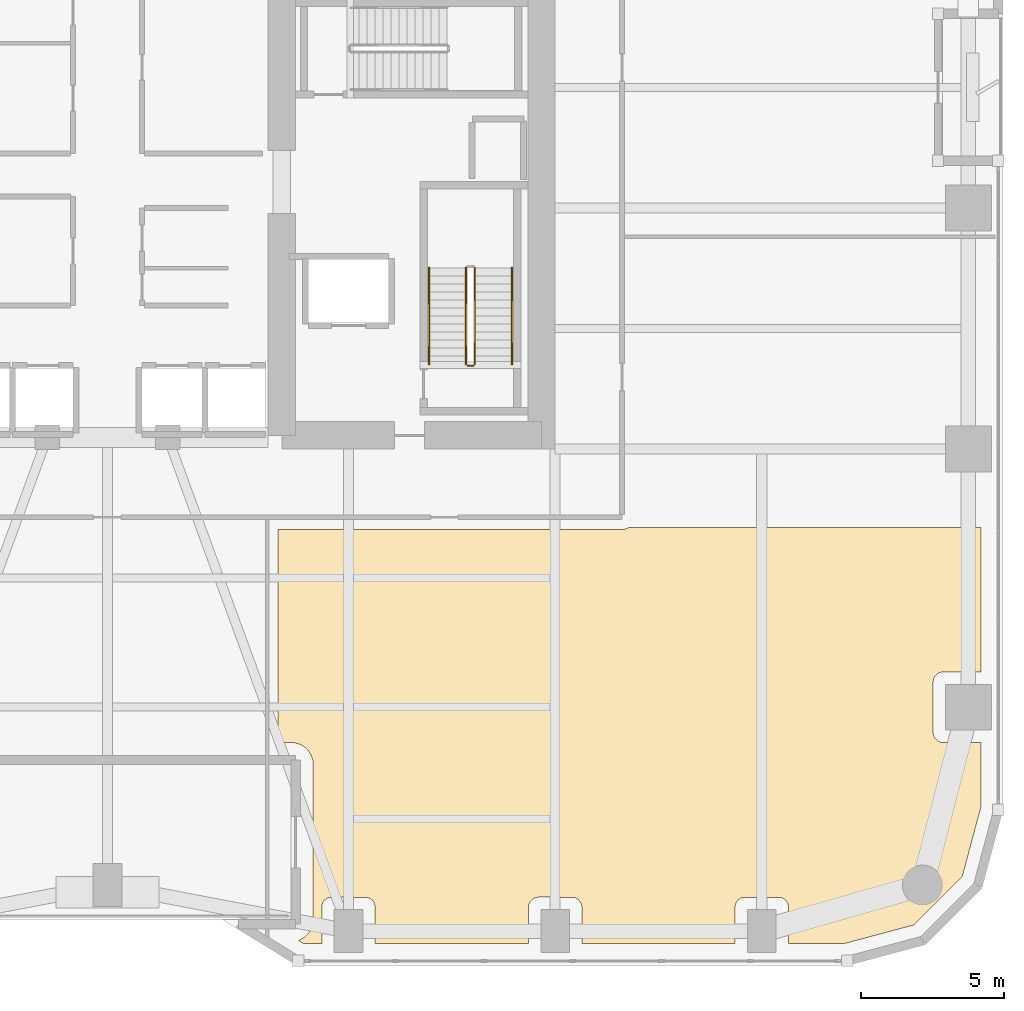
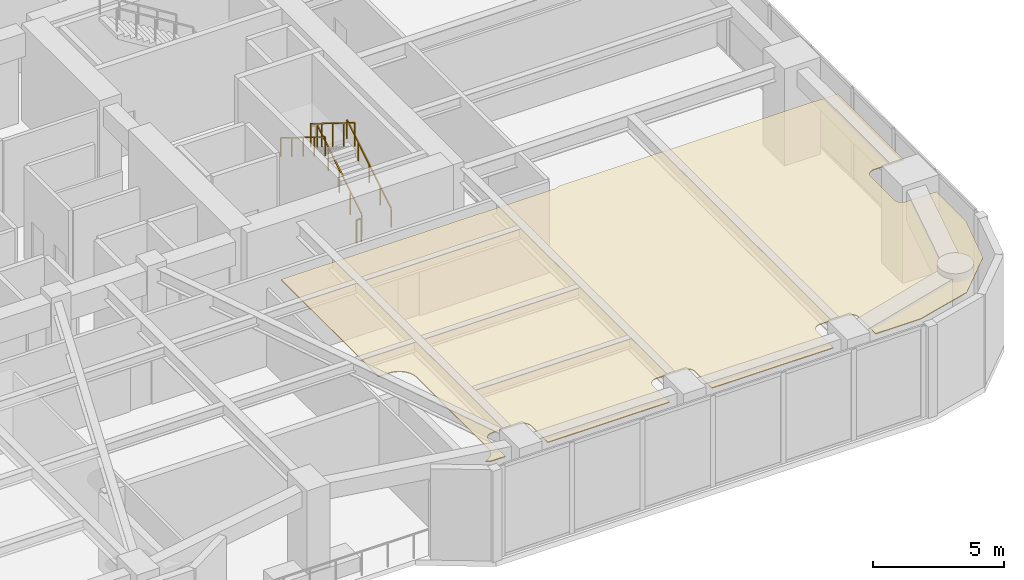
# One storey, part 23 of 25: 5 railings, 1 covering.
"""IFC4 building model written with IfcOpenShell, lengths in metres."""

from ifc_helpers import new_model, si_unit, direction, frame, origin, origin_2d, place, context, subcontext, project, spatial, polyline, rectangle, outline, extrude, material, layer, layer_set, type_object, element, save


model = new_model("IFC4")

# Units and contexts
model_context = context("Model", 3, precision=1e-05, world=origin(), true_north=direction((0.0, 1.0)))
body_context = subcontext(model_context, "Body", "Model", "MODEL_VIEW")
ifc_project = project(units=[si_unit("LENGTHUNIT", "METRE"), si_unit("AREAUNIT", "SQUARE_METRE"), si_unit("VOLUMEUNIT", "CUBIC_METRE"), si_unit("PLANEANGLEUNIT", "RADIAN"), si_unit("MASSUNIT", "GRAM", prefix="KILO")], contexts=[model_context])

# Site, building, storey
site_placement = place(None, origin())
site = spatial("IfcSite", under=ifc_project, at=site_placement, CompositionType="ELEMENT")
building_placement = place(site_placement, origin())
building = spatial("IfcBuilding", under=site, at=building_placement, Name="Kiyonajd Concourse Tower", CompositionType="ELEMENT")
storey_placement = place(building_placement, frame((0.0, 0.0, 68.39990234375)))
storey = spatial("IfcBuildingStorey", under=building, at=storey_placement, Name="L18", CompositionType="ELEMENT", Elevation=68.39990234375)

# Covering
ifc_material_1 = material(Name="Natural Oak Acoustic Timber Veneer", Category="wood")
ifc_layer = layer(ifc_material_1, 0.0400390625)
ifc_layer_set = layer_set([ifc_layer], Name="Natural Oak Acoustic Timber Veneer")
covering_type = type_object("IfcCoveringType", Name="CV-CLG-ACST", PredefinedType="CEILING", material=ifc_layer_set)
covering_placement = place(storey_placement, frame((0.0, 0.0, 4.06005859375)))
element("IfcCovering", 1, at=covering_placement, inside=storey, type_object=covering_type, Name="L18-40 Room Acoustic Ceiling", PredefinedType="CEILING", context=body_context, shape_type="SweptSolid", body=[
    extrude(outline(polyline([(54.65087890625, 10.472900390625), (54.72802734375, 10.50390625), (54.839111328125, 10.568115234375), (54.931884765625, 10.64306640625), (55.008056640625, 10.72802734375), (55.056884765625, 10.800048828125), (55.116943359375, 10.9208984375), (55.156982421875, 11.05810546875), (55.16796875, 11.166015625), (55.16796875, 16.634033203125), (55.156982421875, 16.741943359375), (55.14208984375, 16.806884765625), (55.10302734375, 16.9140625), (55.06201171875, 16.990966796875), (55.001953125, 17.080078125), (54.95703125, 17.132080078125), (54.8720703125, 17.2080078125), (54.800048828125, 17.257080078125), (54.678955078125, 17.31689453125), (54.51611328125, 17.360107421875), (54.39990234375, 17.3701171875), (53.93994140625, 17.3701171875), (53.93994140625, 24.7900390625), (65.925048828125, 24.7900390625), (66.054931640625, 24.81005859375), (66.117919921875, 24.8359375), (66.173095703125, 24.8701171875), (78.429931640625, 24.8701171875), (78.429931640625, 19.830078125), (77.1201171875, 19.830078125), (77.052001953125, 19.822998046875), (76.986083984375, 19.802978515625), (76.926025390625, 19.77099609375), (76.84912109375, 19.701904296875), (76.81103515625, 19.64501953125), (76.784912109375, 19.58203125), (76.77001953125, 19.47998046875), (76.77001953125, 17.719970703125), (76.784912109375, 17.617919921875), (76.81103515625, 17.554931640625), (76.84912109375, 17.498046875), (76.89794921875, 17.448974609375), (76.955078125, 17.410888671875), (77.01806640625, 17.385009765625), (77.0859375, 17.3720703125), (78.429931640625, 17.3701171875), (78.429931640625, 15.10107421875), (77.785888671875, 12.697998046875), (76.10205078125, 11.013916015625), (73.698974609375, 10.3701171875), (71.72998046875, 10.3701171875), (71.72802734375, 11.6640625), (71.715087890625, 11.73193359375), (71.68896484375, 11.794921875), (71.626953125, 11.876953125), (71.544921875, 11.93896484375), (71.48193359375, 11.965087890625), (71.4140625, 11.97802734375), (70.18603515625, 11.97802734375), (70.117919921875, 11.965087890625), (70.054931640625, 11.93896484375), (69.972900390625, 11.876953125), (69.910888671875, 11.794921875), (69.876953125, 11.697998046875), (69.8701171875, 11.6298828125), (69.8701171875, 10.3701171875), (64.530029296875, 10.3701171875), (64.528076171875, 11.6640625), (64.514892578125, 11.73193359375), (64.489013671875, 11.794921875), (64.427001953125, 11.876953125), (64.344970703125, 11.93896484375), (64.281982421875, 11.965087890625), (64.214111328125, 11.97802734375), (63.02001953125, 11.97998046875), (62.91796875, 11.965087890625), (62.85498046875, 11.93896484375), (62.798095703125, 11.90087890625), (62.7490234375, 11.85205078125), (62.7109375, 11.794921875), (62.677001953125, 11.697998046875), (62.669921875, 11.6298828125), (62.669921875, 10.3701171875), (57.330078125, 10.3701171875), (57.327880859375, 11.6640625), (57.302978515625, 11.763916015625), (57.27099609375, 11.823974609375), (57.22705078125, 11.876953125), (57.174072265625, 11.9208984375), (57.114013671875, 11.952880859375), (57.013916015625, 11.97802734375), (55.820068359375, 11.97998046875), (55.718017578125, 11.965087890625), (55.655029296875, 11.93896484375), (55.597900390625, 11.90087890625), (55.549072265625, 11.85205078125), (55.510986328125, 11.794921875), (55.47705078125, 11.697998046875), (55.469970703125, 11.6298828125), (55.469970703125, 10.3701171875), (54.818115234375, 10.3701171875), (54.65087890625, 10.472900390625)])), origin(), (0.0, 0.0, 1.0), 0.0400390625),
])

# Railings
ifc_material_2 = material(Name="Steel ASTM A500 Grade C", Category="steel")
railing_type_1 = type_object("IfcRailingType", Name="RL-GRD-STR", PredefinedType="GUARDRAIL", material=ifc_material_2)
railing_1_placement = place(storey_placement, frame((60.800048828125, 30.550048828125, 0.173095703125)))
element("IfcRailing", 2, at=railing_1_placement, inside=storey, type_object=railing_type_1, Name="L18 ST2 stair guard 1", PredefinedType="GUARDRAIL", context=body_context, shape_type="SweptSolid", body=[
    extrude(rectangle(XDim=0.048095703125, YDim=0.048095703125, at=origin_2d()), frame((0.0, 0.0, 1.076171875), z_axis=(0.0, 0.850606129759, 0.525803396734), x_axis=(-1.0, 0.0, 0.0)), (0.0, 0.0, 1.0), 3.949951171875),
    extrude(rectangle(XDim=0.0419921875, YDim=0.0419921875, at=origin_2d()), origin(), (0.0, 0.0, 1.0), 1.052001953125),
    extrude(rectangle(XDim=0.0419921875, YDim=0.0419921875, at=origin_2d()), frame((0.0, 0.83984375, 0.519287109375)), (0.0, 0.0, 1.0), 1.052001953125),
    extrude(rectangle(XDim=0.0419921875, YDim=0.0419921875, at=origin_2d()), frame((0.0, 1.679931640625, 1.03857421875)), (0.0, 0.0, 1.0), 1.052001953125),
    extrude(rectangle(XDim=0.0419921875, YDim=0.0419921875, at=origin_2d()), frame((0.0, 2.52001953125, 1.5576171875)), (0.0, 0.0, 1.0), 1.052001953125),
    extrude(rectangle(XDim=0.0419921875, YDim=0.0419921875, at=origin_2d()), frame((0.0, 3.35986328125, 2.076904296875)), (0.0, 0.0, 1.0), 1.052001953125),
])
railing_2_placement = place(storey_placement, frame((60.5, 33.909912109375, 2.423095703125)))
element("IfcRailing", 3, at=railing_2_placement, inside=storey, type_object=railing_type_1, Name="L18 ST2 stair guard 3", PredefinedType="GUARDRAIL", context=body_context, shape_type="SweptSolid", body=[
    extrude(rectangle(XDim=0.048095703125, YDim=0.048095703125, at=origin_2d()), frame((0.0, 0.0, 1.076171875), z_axis=(0.0, -0.850606129759, 0.525803396734), x_axis=(1.0, 0.0, 0.0)), (0.0, 0.0, 1.0), 3.949951171875),
    extrude(rectangle(XDim=0.0419921875, YDim=0.0419921875, at=origin_2d()), origin(), (0.0, 0.0, 1.0), 1.052001953125),
    extrude(rectangle(XDim=0.0419921875, YDim=0.0419921875, at=origin_2d()), frame((0.0, -0.83984375, 0.519287109375)), (0.0, 0.0, 1.0), 1.052001953125),
    extrude(rectangle(XDim=0.0419921875, YDim=0.0419921875, at=origin_2d()), frame((0.0, -1.679931640625, 1.03857421875)), (0.0, 0.0, 1.0), 1.052001953125),
    extrude(rectangle(XDim=0.0419921875, YDim=0.0419921875, at=origin_2d()), frame((0.0, -2.52001953125, 1.5576171875)), (0.0, 0.0, 1.0), 1.052001953125),
    extrude(rectangle(XDim=0.0419921875, YDim=0.0419921875, at=origin_2d()), frame((0.0, -3.35986328125, 2.076904296875)), (0.0, 0.0, 1.0), 1.052001953125),
])
railing_3_placement = place(storey_placement, frame((60.75, 30.5, 0.0)))
element("IfcRailing", 4, at=railing_3_placement, inside=storey, type_object=railing_type_1, Name="L18 ST2 stair guard 4", PredefinedType="GUARDRAIL", context=body_context, shape_type="SweptSolid", body=[
    extrude(rectangle(XDim=0.048095703125, YDim=0.048095703125, at=origin_2d()), frame((0.0, 0.0, 1.076171875), z_axis=(-1.0, 0.0, 0.0), x_axis=(0.0, -1.0, 0.0)), (0.0, 0.0, 1.0), 0.199951171875),
    extrude(rectangle(XDim=0.0419921875, YDim=0.0419921875, at=origin_2d()), origin(), (0.0, 0.0, 1.0), 1.052001953125),
    extrude(rectangle(XDim=0.0419921875, YDim=0.0419921875, at=origin_2d()), frame((-0.199951171875, 0.0, 0.0)), (0.0, 0.0, 1.0), 1.052001953125),
])
ifc_material_3 = material(Name="Brushed Stainless Steel Cab Assembly", Category="steel")
railing_type_2 = type_object("IfcRailingType", Name="RL-HND-900", PredefinedType="HANDRAIL", material=ifc_material_3)
railing_4_placement = place(storey_placement, frame((62.10009765625, 30.550048828125, 0.173095703125)))
element("IfcRailing", 5, at=railing_4_placement, inside=storey, type_object=railing_type_2, Name="L18 ST2 stair handrail 1", PredefinedType="HANDRAIL", context=body_context, shape_type="SweptSolid", body=[
    extrude(rectangle(XDim=0.048095703125, YDim=0.048095703125, at=origin_2d()), frame((0.0, 0.0, 0.8759765625), z_axis=(0.0, 0.850606129759, 0.525803396734), x_axis=(-1.0, 0.0, 0.0)), (0.0, 0.0, 1.0), 3.949951171875),
    extrude(rectangle(XDim=0.0419921875, YDim=0.0419921875, at=origin_2d()), origin(), (0.0, 0.0, 1.0), 0.851806640625),
    extrude(rectangle(XDim=0.0419921875, YDim=0.0419921875, at=origin_2d()), frame((0.0, 0.83984375, 0.519287109375)), (0.0, 0.0, 1.0), 0.851806640625),
    extrude(rectangle(XDim=0.0419921875, YDim=0.0419921875, at=origin_2d()), frame((0.0, 1.679931640625, 1.03857421875)), (0.0, 0.0, 1.0), 0.851806640625),
    extrude(rectangle(XDim=0.0419921875, YDim=0.0419921875, at=origin_2d()), frame((0.0, 2.52001953125, 1.5576171875)), (0.0, 0.0, 1.0), 0.851806640625),
    extrude(rectangle(XDim=0.0419921875, YDim=0.0419921875, at=origin_2d()), frame((0.0, 3.35986328125, 2.076904296875)), (0.0, 0.0, 1.0), 0.851806640625),
])
railing_5_placement = place(storey_placement, frame((59.199951171875, 33.909912109375, 2.423095703125)))
element("IfcRailing", 6, at=railing_5_placement, inside=storey, type_object=railing_type_2, Name="L18 ST2 stair handrail 2", PredefinedType="HANDRAIL", context=body_context, shape_type="SweptSolid", body=[
    extrude(rectangle(XDim=0.048095703125, YDim=0.048095703125, at=origin_2d()), frame((0.0, 0.0, 0.8759765625), z_axis=(0.0, -0.850606129759, 0.525803396734), x_axis=(1.0, 0.0, 0.0)), (0.0, 0.0, 1.0), 3.949951171875),
    extrude(rectangle(XDim=0.0419921875, YDim=0.0419921875, at=origin_2d()), origin(), (0.0, 0.0, 1.0), 0.851806640625),
    extrude(rectangle(XDim=0.0419921875, YDim=0.0419921875, at=origin_2d()), frame((0.0, -0.83984375, 0.519287109375)), (0.0, 0.0, 1.0), 0.851806640625),
    extrude(rectangle(XDim=0.0419921875, YDim=0.0419921875, at=origin_2d()), frame((0.0, -1.679931640625, 1.03857421875)), (0.0, 0.0, 1.0), 0.851806640625),
    extrude(rectangle(XDim=0.0419921875, YDim=0.0419921875, at=origin_2d()), frame((0.0, -2.52001953125, 1.5576171875)), (0.0, 0.0, 1.0), 0.851806640625),
    extrude(rectangle(XDim=0.0419921875, YDim=0.0419921875, at=origin_2d()), frame((0.0, -3.35986328125, 2.076904296875)), (0.0, 0.0, 1.0), 0.851806640625),
])

save(model, "model.ifc")
